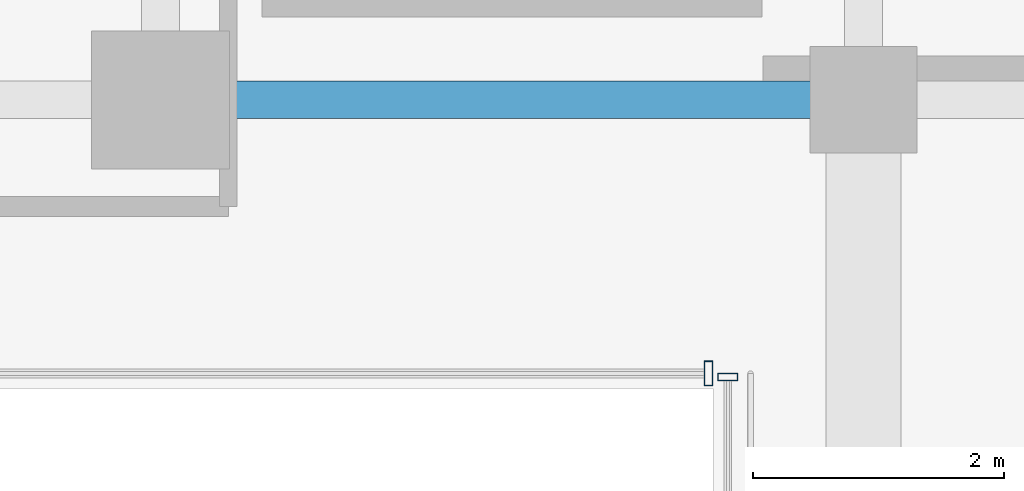
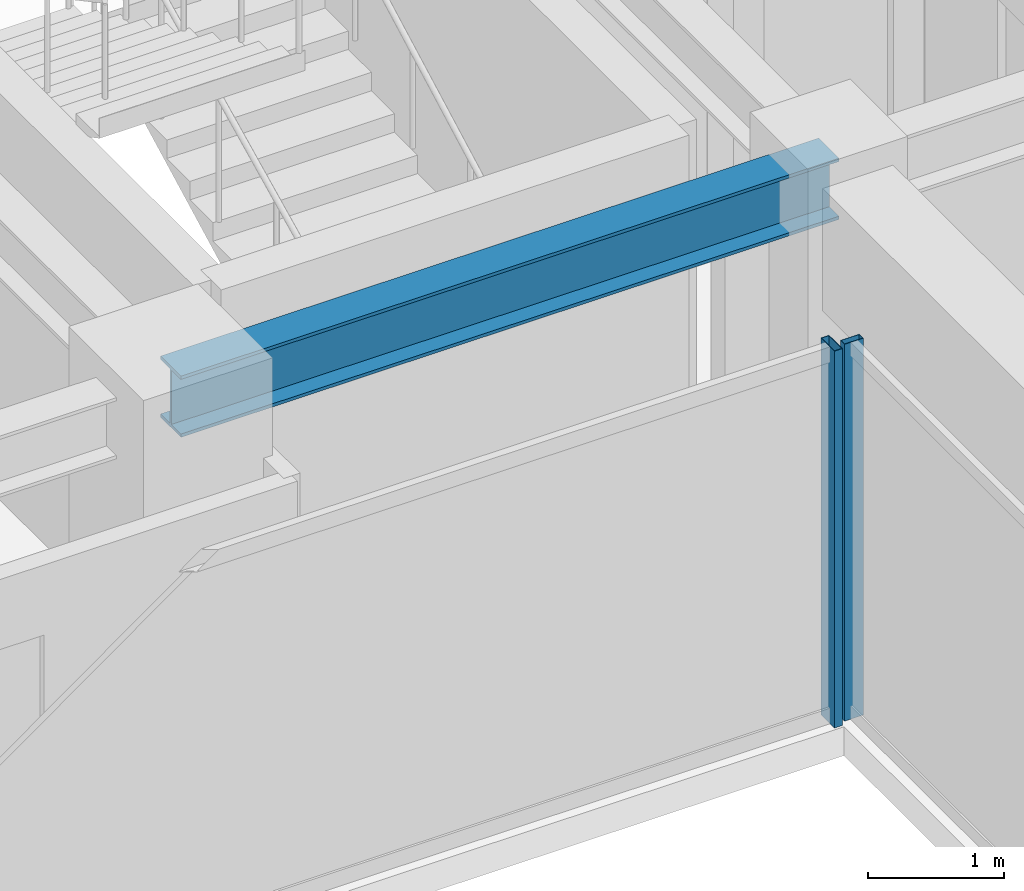
# One storey, part 13 of 36: 2 members, 1 beam, 2 elements without a shape of their own.
"""IFC4 building model written with IfcOpenShell, lengths in metres."""

import ifcopenshell
import ifcopenshell.guid

model = None  # the IFC model being written
_history = None  # IfcOwnerHistory: only IFC2X3 demands one
_inside = {}  # id of a spatial element -> (the spatial element, [elements in it])
_under = {}  # id of a project, library or spatial element -> (it, [spatial elements below it])
_declared = {}  # id of a project -> (the project, [libraries it declares])
_typed = {}  # id of a type object -> (the type object, [elements of that type])
_made_of = {}  # id of a material, layer set ... -> (it, [elements and type objects made of it])


def new_model(schema):
    """Start an empty IFC model of exactly this schema.

    Asked for "IFC4X3", IfcOpenShell would pick the latest addendum, in which some entities
    have other attributes; the version numbers below select the first issue.
    IFC2X3 requires an IfcOwnerHistory on every rooted entity: one is made here for all.
    """
    global model, _history
    if schema == "IFC4X3":
        model = ifcopenshell.file(schema_version=(4, 3, 0, 0))
    else:
        model = ifcopenshell.file(schema=schema)
    _inside.clear()
    _under.clear()
    _declared.clear()
    _typed.clear()
    _made_of.clear()
    _history = None
    if model.schema == "IFC2X3":
        org = make("IfcOrganization", Name="unknown")
        user = make(
            "IfcPersonAndOrganization",
            ThePerson=make("IfcPerson", FamilyName="unknown"),
            TheOrganization=org,
        )
        app = make(
            "IfcApplication",
            ApplicationDeveloper=org,
            Version="unknown",
            ApplicationFullName="unknown",
            ApplicationIdentifier="unknown",
        )
        _history = make(
            "IfcOwnerHistory",
            OwningUser=user,
            OwningApplication=app,
            ChangeAction="ADDED",
            CreationDate=0,
        )
    return model


def make(cls, **values):
    """One entity of the class cls with the attributes given. An attribute that is None is left unset."""
    return model.create_entity(
        cls, **{name: value for name, value in values.items() if value is not None}
    )


def rooted(cls, **values):
    """An entity with a GlobalId (a new one), such as an element, a storey or a relation."""
    return make(cls, GlobalId=ifcopenshell.guid.new(), OwnerHistory=_history, **values)


def si_unit(unit_type, name, prefix=None):
    """IfcSIUnit, for example si_unit("LENGTHUNIT", "METRE", prefix="MILLI")."""
    return make("IfcSIUnit", UnitType=unit_type, Prefix=prefix, Name=name)


def assignment(units):
    """IfcUnitAssignment: the units of a project."""
    return None if units is None else make("IfcUnitAssignment", Units=units)


def point(xyz):
    """IfcCartesianPoint."""
    return None if xyz is None else make("IfcCartesianPoint", Coordinates=xyz)


def direction(xyz):
    """IfcDirection."""
    return None if xyz is None else make("IfcDirection", DirectionRatios=xyz)


def frame(location, z_axis=None, x_axis=None):
    """IfcAxis2Placement3D, a coordinate frame: its origin and axes. An axis left out is left unset."""
    return make(
        "IfcAxis2Placement3D",
        Location=point(location),
        Axis=direction(z_axis),
        RefDirection=direction(x_axis),
    )


def frame_2d(location, x_axis=None):
    """IfcAxis2Placement2D, a coordinate frame in the plane: its origin and x axis."""
    return make(
        "IfcAxis2Placement2D", Location=point(location), RefDirection=direction(x_axis)
    )


def origin():
    """The frame at (0, 0, 0) with its axes left unset."""
    return frame((0.0, 0.0, 0.0))


def origin_2d():
    """The frame at (0, 0) in the plane with its x axis left unset."""
    return frame_2d((0.0, 0.0))


def place(relative_to, where):
    """IfcLocalPlacement: puts the frame where relative to a parent placement (None: the world)."""
    return make(
        "IfcLocalPlacement", PlacementRelTo=relative_to, RelativePlacement=where
    )


def context(
    kind, dimensions, precision=None, world=None, true_north=None, identifier=None
):
    """IfcGeometricRepresentationContext, for example the 3D "Model" context."""
    return make(
        "IfcGeometricRepresentationContext",
        ContextIdentifier=identifier,
        ContextType=kind,
        CoordinateSpaceDimension=dimensions,
        Precision=precision,
        WorldCoordinateSystem=world,
        TrueNorth=true_north,
    )


def subcontext(parent, identifier, kind, view, scale=None):
    """IfcGeometricRepresentationSubContext, for example "Body" below "Model"."""
    return make(
        "IfcGeometricRepresentationSubContext",
        ContextIdentifier=identifier,
        ContextType=kind,
        ParentContext=parent,
        TargetScale=scale,
        TargetView=view,
    )


def project(units=None, contexts=None):
    """IfcProject with its units and contexts."""
    return rooted(
        "IfcProject",
        Name="project",
        RepresentationContexts=contexts,
        UnitsInContext=assignment(units),
    )


def spatial(cls, under=None, at=None, **own):
    """A site, building, storey or space (cls), placed at a placement, below another one or the project."""
    s = rooted(cls, ObjectPlacement=at, **own)
    if under is not None:
        _under.setdefault(under.id(), (under, []))[1].append(s)
    return s


def profile(cls, at=None, kind="AREA", **sizes):
    """A parametric profile (cls). Its sizes go by their IFC names, for example OverallWidth=200.0."""
    return make(cls, ProfileType=kind, Position=at, **sizes)


def hollow_rectangle(**sizes):
    """IfcRectangleHollowProfileDef."""
    return profile("IfcRectangleHollowProfileDef", **sizes)


def i_section(**sizes):
    """IfcIShapeProfileDef."""
    return profile("IfcIShapeProfileDef", **sizes)


def extrude(swept, where, along, depth):
    """IfcExtrudedAreaSolid: the profile swept, set in the frame where, extruded along a direction by depth."""
    return make(
        "IfcExtrudedAreaSolid",
        SweptArea=swept,
        Position=where,
        ExtrudedDirection=direction(along),
        Depth=depth,
    )


def shape(context_of_items, identifier, shape_type, items):
    """IfcShapeRepresentation: the items that make up one representation, for example the "Body"."""
    return make(
        "IfcShapeRepresentation",
        ContextOfItems=context_of_items,
        RepresentationIdentifier=identifier,
        RepresentationType=shape_type,
        Items=items,
    )


def source(mapping_origin, context_of_items, identifier, shape_type, items):
    """IfcRepresentationMap: a shape defined once, which mapped items show again and again."""
    return make(
        "IfcRepresentationMap",
        MappingOrigin=mapping_origin,
        MappedRepresentation=shape(context_of_items, identifier, shape_type, items),
    )


def transform(
    local_origin,
    x_axis=None,
    y_axis=None,
    z_axis=None,
    scale=None,
    scale2=None,
    scale3=None,
    uniform=True,
):
    """IfcCartesianTransformationOperator3D, or its non-uniform kind. x_axis, y_axis, z_axis: its Axis1, 2, 3."""
    if uniform:
        return make(
            "IfcCartesianTransformationOperator3D",
            Axis1=direction(x_axis),
            Axis2=direction(y_axis),
            LocalOrigin=point(local_origin),
            Scale=scale,
            Axis3=direction(z_axis),
        )
    return make(
        "IfcCartesianTransformationOperator3DnonUniform",
        Axis1=direction(x_axis),
        Axis2=direction(y_axis),
        LocalOrigin=point(local_origin),
        Scale=scale,
        Axis3=direction(z_axis),
        Scale2=scale2,
        Scale3=scale3,
    )


def mapped(mapping_source, mapping_target):
    """IfcMappedItem: shows the shape of a source again, moved by a transform."""
    return make(
        "IfcMappedItem", MappingSource=mapping_source, MappingTarget=mapping_target
    )


def material(Name=None, Category=None):
    """IfcMaterial."""
    return make("IfcMaterial", Name=Name, Category=Category)


def material_profile(
    of_material, cross_section, Name=None, Category=None, Priority=None
):
    """IfcMaterialProfile: a cross section and its material."""
    return make(
        "IfcMaterialProfile",
        Name=Name,
        Material=of_material,
        Profile=cross_section,
        Priority=Priority,
        Category=Category,
    )


def profile_set(profiles, Name=None, composite=None):
    """IfcMaterialProfileSet."""
    return make(
        "IfcMaterialProfileSet",
        Name=Name,
        MaterialProfiles=profiles,
        CompositeProfile=composite,
    )


def made_of(thing, what):
    """Note that an element or type object is made of a material, layer set ...; save() writes the relation."""
    if what is not None:
        _made_of.setdefault(what.id(), (what, []))[1].append(thing)
    return thing


def type_object(cls, material=None, **own):
    """A type object (cls), such as IfcWallType, which elements share."""
    return made_of(rooted(cls, **own), material)


def element(
    cls,
    number,
    at=None,
    inside=None,
    cuts=None,
    type_object=None,
    material=None,
    context=None,
    identifier="Body",
    shape_type=None,
    held_by="IfcProductDefinitionShape",
    body=None,
    shapes=None,
    **own,
):
    """One element of the class cls, such as IfcWall. Its Tag is "e" and its number.

    at: its placement. inside: the storey or other place that contains it. cuts: it is an
    opening in that element (IfcRelVoidsElement). A single representation is given by context,
    identifier, shape_type and body (its items); several are given by shapes. held_by: the class
    of the entity that holds the representations. save() writes the other relations.
    """
    e = rooted(cls, Tag="e%d" % number, ObjectPlacement=at, **own)
    if body is not None:
        shapes = [shape(context, identifier, shape_type, body)]
    if shapes is not None:
        e.Representation = make(held_by, Representations=shapes)
    if inside is not None:
        _inside.setdefault(inside.id(), (inside, []))[1].append(e)
    if cuts is not None:
        rooted(
            "IfcRelVoidsElement", RelatingBuildingElement=cuts, RelatedOpeningElement=e
        )
    if type_object is not None:
        _typed.setdefault(type_object.id(), (type_object, []))[1].append(e)
    return made_of(e, material)


def aggregate(whole, parts):
    """IfcRelAggregates: a whole, such as a stair, and the parts it consists of."""
    return rooted("IfcRelAggregates", RelatingObject=whole, RelatedObjects=parts)


def save(model, path):
    """Write the relations noted so far, then the file.

    IfcRelAggregates (storeys below a building ...), IfcRelContainedInSpatialStructure (elements
    in a storey), IfcRelDefinesByType, IfcRelAssociatesMaterial and IfcRelDeclares: one each for
    every whole, place, type object, material and project.
    """
    for whole, parts in _under.values():
        aggregate(whole, parts)
    for where, things in _inside.values():
        rooted(
            "IfcRelContainedInSpatialStructure",
            RelatedElements=things,
            RelatingStructure=where,
        )
    for kind, things in _typed.values():
        rooted("IfcRelDefinesByType", RelatedObjects=things, RelatingType=kind)
    for what, things in _made_of.values():
        rooted("IfcRelAssociatesMaterial", RelatedObjects=things, RelatingMaterial=what)
    for by, libraries in _declared.values():
        rooted("IfcRelDeclares", RelatingContext=by, RelatedDefinitions=libraries)
    model.write(path)


model = new_model("IFC4")

# Units and contexts
model_context = context("Model", 3, precision=1e-05, world=origin(), true_north=direction((0.0, 1.0)))
body_context = subcontext(model_context, "Body", "Model", "MODEL_VIEW")
ifc_project = project(units=[si_unit("LENGTHUNIT", "METRE"), si_unit("AREAUNIT", "SQUARE_METRE"), si_unit("VOLUMEUNIT", "CUBIC_METRE"), si_unit("PLANEANGLEUNIT", "RADIAN"), si_unit("MASSUNIT", "GRAM", prefix="KILO")], contexts=[model_context])

# Site, building, storey
site_placement = place(None, origin())
site = spatial("IfcSite", under=ifc_project, at=site_placement, CompositionType="ELEMENT")
building_placement = place(site_placement, origin())
building = spatial("IfcBuilding", under=site, at=building_placement, Name="Nahalor Promenade Grand Hotel", CompositionType="ELEMENT")
storey_placement = place(building_placement, frame((0.0, 0.0, 174.550048828125)))
storey = spatial("IfcBuildingStorey", under=building, at=storey_placement, Name="L44", CompositionType="ELEMENT", Elevation=174.550048828125)

# Beam
ifc_material_1 = material(Name="Steel S355JR", Category="steel")
ifc_material_profile_1 = material_profile(ifc_material_1, i_section(OverallWidth=0.3, OverallDepth=0.55, WebThickness=0.015, FlangeThickness=0.029, at=origin_2d()), Name="HEB 550")
ifc_profile_set_1 = profile_set([ifc_material_profile_1], Name="Steel S355JR")
beam_type = type_object("IfcBeamType", Name="Beam-Girder-HEB550", PredefinedType="BEAM", material=ifc_profile_set_1)
shared_shape_1 = source(origin(), body_context, "Body", "SweptSolid", [
    extrude(i_section(OverallWidth=0.3, OverallDepth=0.55, WebThickness=0.015, FlangeThickness=0.029, at=origin_2d()), origin(), (0.0, 0.0, 1.0), 5.599853515625),
])
beam_placement = place(storey_placement, frame((2.800048828125, 5.39990234375, 3.114990234375), z_axis=(1.0, 0.0, 0.0), x_axis=(0.0, 1.0, 0.0)))
element("IfcBeam", 1, at=beam_placement, inside=storey, type_object=beam_type, Name="BM-L44-GX-2-4", PredefinedType="BEAM", context=body_context, shape_type="MappedRepresentation", body=[
    mapped(shared_shape_1, transform((0.0, 0.0, 0.0), scale=1.0)),
])

# Curtain wall, member
ifc_material_2 = material(Name="Anodised Bronze Aluminium EN AW-6063 T6", Category="aluminium")
curtain_wall_type_1 = type_object("IfcCurtainWallType", Name="CW3 Elliptical-Void Collar Unitised Curtain Wall", PredefinedType="USERDEFINED", material=ifc_material_2)
curtain_wall_1_placement = place(storey_placement, origin())
curtain_wall_1 = element("IfcCurtainWall", 2, at=curtain_wall_1_placement, inside=storey, type_object=curtain_wall_type_1, Name="L44 Curtain Wall CW-L44-VOID-WN1", ObjectType="UNITISED_CURTAIN_WALL", PredefinedType="USERDEFINED")
ifc_material_profile_2 = material_profile(ifc_material_2, hollow_rectangle(XDim=0.07, YDim=0.2, WallThickness=0.005, at=origin_2d()), Name="CWM 70x200x5")
ifc_profile_set_2 = profile_set([ifc_material_profile_2], Name="Anodised Bronze Aluminium EN AW-6063 T6")
member_type_1 = type_object("IfcMemberType", Name="CWM3 Void Collar Mullion 70x200", PredefinedType="MULLION", material=ifc_profile_set_2)
shared_shape_2 = source(origin(), body_context, "Body", "SweptSolid", [
    extrude(hollow_rectangle(XDim=0.07, YDim=0.2, WallThickness=0.005, at=origin_2d()), origin(), (0.0, 0.0, 1.0), 3.389892578125),
])
member_1_placement = place(storey_placement, frame((7.1650390625, 3.219970703125, 0.0), z_axis=(0.0, 0.0, 1.0), x_axis=(1.0, 0.0, 0.0)))
member_1 = element("IfcMember", 3, at=member_1_placement, type_object=member_type_1, Name="CW-L44-VOID-WN1 Mullion 3", PredefinedType="MULLION", context=body_context, shape_type="MappedRepresentation", body=[
    mapped(shared_shape_2, transform((0.0, 0.0, 0.0), scale=1.0)),
])
aggregate(curtain_wall_1, [member_1])

curtain_wall_type_2 = type_object("IfcCurtainWallType", Name="CW4 Low-Iron Sky-Gallery Bridge Curtain Wall", PredefinedType="USERDEFINED", material=ifc_material_2)
curtain_wall_2_placement = place(storey_placement, origin())
curtain_wall_2 = element("IfcCurtainWall", 4, at=curtain_wall_2_placement, inside=storey, type_object=curtain_wall_type_2, Name="L44 Curtain Wall CW-L44-BRG-W", ObjectType="UNITISED_CURTAIN_WALL", PredefinedType="USERDEFINED")
ifc_material_profile_3 = material_profile(ifc_material_2, hollow_rectangle(XDim=0.06, YDim=0.16, WallThickness=0.004, at=origin_2d()), Name="CWM 60x160x4")
ifc_profile_set_3 = profile_set([ifc_material_profile_3], Name="Anodised Bronze Aluminium EN AW-6063 T6")
member_type_2 = type_object("IfcMemberType", Name="CWM4 Sky-Gallery Slim Mullion 60x160", PredefinedType="MULLION", material=ifc_profile_set_3)
shared_shape_3 = source(origin(), body_context, "Body", "SweptSolid", [
    extrude(hollow_rectangle(XDim=0.06, YDim=0.16, WallThickness=0.004, at=origin_2d()), origin(), (0.0, 0.0, 1.0), 3.389892578125),
])
member_2_placement = place(storey_placement, frame((7.320068359375, 3.18994140625, 0.0), z_axis=(0.0, 0.0, 1.0), x_axis=(0.0, 1.0, 0.0)))
member_2 = element("IfcMember", 5, at=member_2_placement, type_object=member_type_2, Name="CW-L44-BRG-W Mullion 1", PredefinedType="MULLION", context=body_context, shape_type="MappedRepresentation", body=[
    mapped(shared_shape_3, transform((0.0, 0.0, 0.0), scale=1.0)),
])
aggregate(curtain_wall_2, [member_2])

save(model, "model.ifc")
